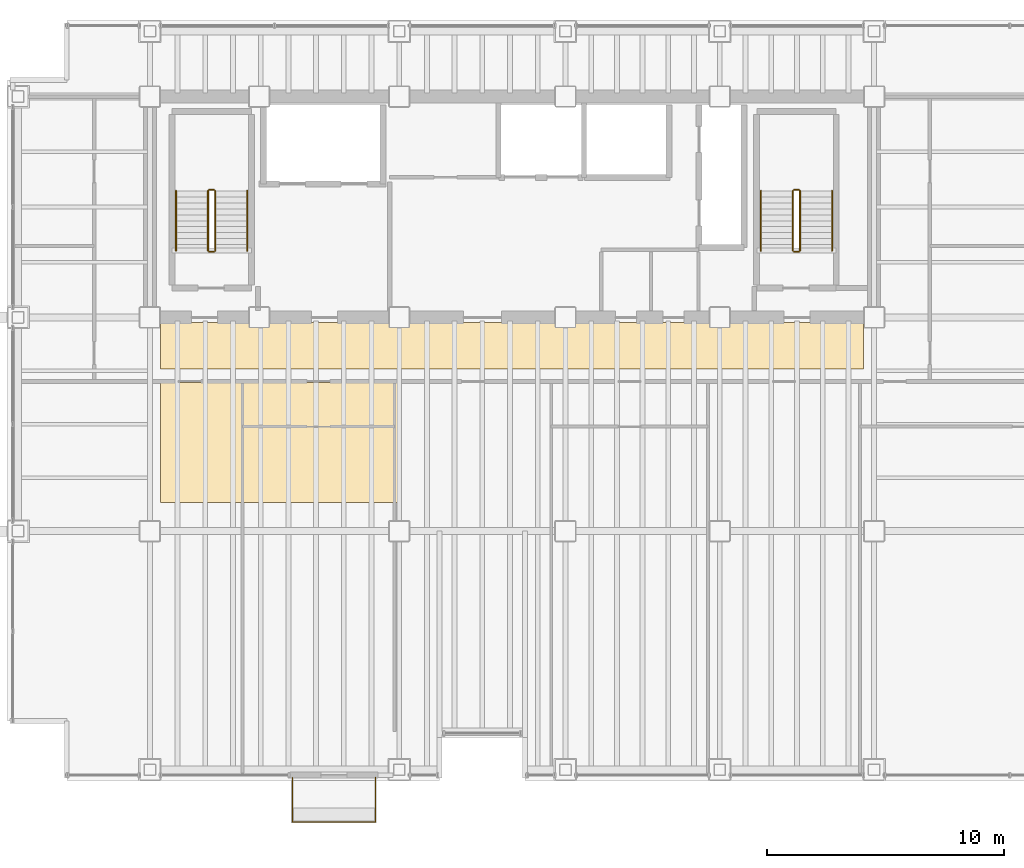
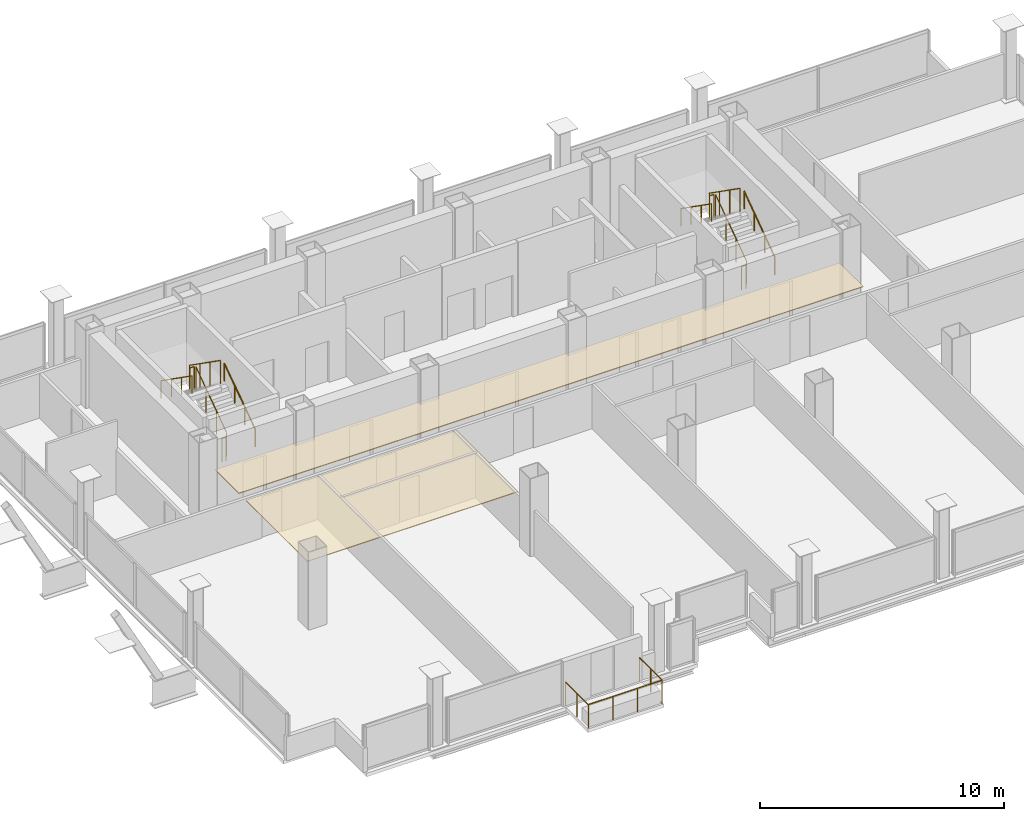
# One storey, part 21 of 21: 13 railings, 2 coverings.
"""IFC4 building model written with IfcOpenShell, lengths in metres."""

from ifc_helpers import new_model, si_unit, direction, frame, origin, origin_2d, place, context, subcontext, project, spatial, polyline, circle, outline, extrude, material, layer, layer_set, type_object, element, save


model = new_model("IFC4")

# Units and contexts
model_context = context("Model", 3, precision=1e-05, world=origin(), true_north=direction((0.0, 1.0)))
body_context = subcontext(model_context, "Body", "Model", "MODEL_VIEW")
ifc_project = project(units=[si_unit("LENGTHUNIT", "METRE"), si_unit("AREAUNIT", "SQUARE_METRE"), si_unit("VOLUMEUNIT", "CUBIC_METRE"), si_unit("PLANEANGLEUNIT", "RADIAN"), si_unit("MASSUNIT", "GRAM", prefix="KILO")], contexts=[model_context])

# Site, building, storey
site_placement = place(None, origin())
site = spatial("IfcSite", under=ifc_project, at=site_placement, CompositionType="ELEMENT")
building_placement = place(site_placement, origin())
building = spatial("IfcBuilding", under=site, at=building_placement, Name="Noeulbin Bourse Tower", CompositionType="ELEMENT")
storey_placement = place(building_placement, frame((0.0, 0.0, 111.0)))
storey = spatial("IfcBuildingStorey", under=building, at=storey_placement, Name="L27", CompositionType="ELEMENT", Elevation=111.0)

# Coverings
ifc_material_1 = material(Name="Perforated Mineral-Fibre Acoustic Tile")
ifc_layer_1 = layer(ifc_material_1, 0.0400390625)
ifc_layer_set_1 = layer_set([ifc_layer_1], Name="Perforated Mineral-Fibre Acoustic Tile")
covering_type = type_object("IfcCoveringType", Name="COV-CEIL-ACT", PredefinedType="CEILING", material=ifc_layer_set_1)
covering_1_placement = place(storey_placement, frame((0.0, 0.0, 2.110107421875)))
element("IfcCovering", 1, at=covering_1_placement, inside=storey, type_object=covering_type, Name="Corridor Suspended Ceiling L27", PredefinedType="CEILING", context=body_context, shape_type="SweptSolid", body=[
    extrude(outline(polyline([(13.949951171875, 26.820068359375), (43.550048828125, 26.820068359375), (43.550048828125, 28.780029296875), (13.949951171875, 28.780029296875), (13.949951171875, 26.820068359375)])), origin(), (0.0, 0.0, 1.0), 0.039794921875),
])
covering_2_placement = place(storey_placement, frame((0.0, 0.0, 2.110107421875)))
element("IfcCovering", 2, at=covering_2_placement, inside=storey, type_object=covering_type, Name="Trading Suite Acoustic Ceiling L27", PredefinedType="CEILING", context=body_context, shape_type="SweptSolid", body=[
    extrude(outline(polyline([(13.949951171875, 21.199951171875), (23.949951171875, 21.199951171875), (23.949951171875, 26.25), (13.949951171875, 26.25), (13.949951171875, 21.199951171875)])), origin(), (0.0, 0.0, 1.0), 0.039794921875),
])

# Railings
ifc_material_2 = material(Name="Laminated SentryGlas and Stainless Steel 316", Category="steel")
ifc_layer_2 = layer(ifc_material_2, 0.06005859375)
ifc_layer_set_2 = layer_set([ifc_layer_2], Name="Laminated SentryGlas and Stainless Steel 316")
railing_type_1 = type_object("IfcRailingType", Name="RLG-BAL-1200", PredefinedType="BALUSTRADE", material=ifc_layer_set_2)
railing_1_placement = place(storey_placement, frame((19.5, 9.6201171875, 0.0)))
element("IfcRailing", 3, at=railing_1_placement, inside=storey, type_object=railing_type_1, Name="Tree-Balcony Glazed Balustrade L27", PredefinedType="BALUSTRADE", context=body_context, shape_type="SweptSolid", body=[
    extrude(circle(Radius=0.02392578125, at=origin_2d()), frame((0.0, 0.0, 1.17578125), z_axis=(0.0, -1.0, 0.0), x_axis=(1.0, 0.0, 0.0)), (0.0, 0.0, 1.0), 1.8701171875),
    extrude(circle(Radius=0.02392578125, at=origin_2d()), frame((0.0, -1.8701171875, 1.17578125), z_axis=(1.0, 0.0, 0.0), x_axis=(0.0, 1.0, 0.0)), (0.0, 0.0, 1.0), 3.5),
    extrude(circle(Radius=0.02392578125, at=origin_2d()), frame((3.5, -1.8701171875, 1.17578125), z_axis=(0.0, 1.0, 0.0), x_axis=(-1.0, 0.0, 0.0)), (0.0, 0.0, 1.0), 1.8701171875),
    extrude(circle(Radius=0.02099609375, at=origin_2d()), origin(), (0.0, 0.0, 1.0), 1.15185546875),
    extrude(circle(Radius=0.02099609375, at=origin_2d()), frame((0.0, -0.93505859375, 0.0)), (0.0, 0.0, 1.0), 1.15185546875),
    extrude(circle(Radius=0.02099609375, at=origin_2d()), frame((0.0, -1.8701171875, 0.0)), (0.0, 0.0, 1.0), 1.15185546875),
    extrude(circle(Radius=0.02099609375, at=origin_2d()), frame((1.166748046875, -1.8701171875, 0.0)), (0.0, 0.0, 1.0), 1.15185546875),
    extrude(circle(Radius=0.02099609375, at=origin_2d()), frame((2.333251953125, -1.8701171875, 0.0)), (0.0, 0.0, 1.0), 1.15185546875),
    extrude(circle(Radius=0.02099609375, at=origin_2d()), frame((3.5, -1.8701171875, 0.0)), (0.0, 0.0, 1.0), 1.15185546875),
    extrude(circle(Radius=0.02099609375, at=origin_2d()), frame((3.5, -0.93505859375, 0.0)), (0.0, 0.0, 1.0), 1.15185546875),
    extrude(circle(Radius=0.02099609375, at=origin_2d()), frame((3.5, 0.0, 0.0)), (0.0, 0.0, 1.0), 1.15185546875),
])
ifc_material_3 = material(Name="Painted Tubular Steel S355", Category="steel")
ifc_layer_3 = layer(ifc_material_3, 0.048095703125)
ifc_layer_set_3 = layer_set([ifc_layer_3], Name="Painted Tubular Steel S355")
railing_type_2 = type_object("IfcRailingType", Name="RLG-STR-GRD", PredefinedType="GUARDRAIL", material=ifc_layer_set_3)
railing_2_placement = place(storey_placement, frame((16.25, 31.81005859375, 0.17724609375)))
element("IfcRailing", 4, at=railing_2_placement, inside=storey, type_object=railing_type_2, Name="L27 ST-1 stair guard 1", PredefinedType="GUARDRAIL", context=body_context, shape_type="SweptSolid", body=[
    extrude(circle(Radius=0.02392578125, at=origin_2d()), frame((0.0, 0.0, 1.17578125), z_axis=(0.0, 0.817904474719, 0.575354039036), x_axis=(-1.0, 0.0, 0.0)), (0.0, 0.0, 1.0), 3.0810546875),
    extrude(circle(Radius=0.02099609375, at=origin_2d()), origin(), (0.0, 0.0, 1.0), 1.15185546875),
    extrude(circle(Radius=0.02099609375, at=origin_2d()), frame((0.0, 0.840087890625, 0.5908203125)), (0.0, 0.0, 1.0), 1.15185546875),
    extrude(circle(Radius=0.02099609375, at=origin_2d()), frame((0.0, 1.679931640625, 1.181884765625)), (0.0, 0.0, 1.0), 1.15185546875),
    extrude(circle(Radius=0.02099609375, at=origin_2d()), frame((0.0, 2.52001953125, 1.772705078125)), (0.0, 0.0, 1.0), 1.15185546875),
])
railing_3_placement = place(storey_placement, frame((16.199951171875, 34.3798828125, 1.949951171875)))
element("IfcRailing", 5, at=railing_3_placement, inside=storey, type_object=railing_type_2, Name="L27 ST-1 stair guard 2", PredefinedType="GUARDRAIL", context=body_context, shape_type="SweptSolid", body=[
    extrude(circle(Radius=0.02392578125, at=origin_2d()), frame((0.0, 0.0, 1.17578125), z_axis=(-1.0, 0.0, 0.0), x_axis=(0.0, -1.0, 0.0)), (0.0, 0.0, 1.0), 0.199951171875),
    extrude(circle(Radius=0.02099609375, at=origin_2d()), origin(), (0.0, 0.0, 1.0), 1.15185546875),
    extrude(circle(Radius=0.02099609375, at=origin_2d()), frame((-0.199951171875, 0.0, 0.0)), (0.0, 0.0, 1.0), 1.15185546875),
])
railing_4_placement = place(storey_placement, frame((15.949951171875, 34.330078125, 2.127197265625)))
element("IfcRailing", 6, at=railing_4_placement, inside=storey, type_object=railing_type_2, Name="L27 ST-1 stair guard 3", PredefinedType="GUARDRAIL", context=body_context, shape_type="SweptSolid", body=[
    extrude(circle(Radius=0.02392578125, at=origin_2d()), frame((0.0, 0.0, 1.17578125), z_axis=(0.0, -0.817904474719, 0.575354039036), x_axis=(1.0, 0.0, 0.0)), (0.0, 0.0, 1.0), 3.0810546875),
    extrude(circle(Radius=0.02099609375, at=origin_2d()), origin(), (0.0, 0.0, 1.0), 1.15185546875),
    extrude(circle(Radius=0.02099609375, at=origin_2d()), frame((0.0, -0.840087890625, 0.5908203125)), (0.0, 0.0, 1.0), 1.15185546875),
    extrude(circle(Radius=0.02099609375, at=origin_2d()), frame((0.0, -1.679931640625, 1.181884765625)), (0.0, 0.0, 1.0), 1.15185546875),
    extrude(circle(Radius=0.02099609375, at=origin_2d()), frame((0.0, -2.52001953125, 1.772705078125)), (0.0, 0.0, 1.0), 1.15185546875),
])
railing_5_placement = place(storey_placement, frame((16.199951171875, 31.760009765625, 0.0)))
element("IfcRailing", 7, at=railing_5_placement, inside=storey, type_object=railing_type_2, Name="L27 ST-1 stair guard 4", PredefinedType="GUARDRAIL", context=body_context, shape_type="SweptSolid", body=[
    extrude(circle(Radius=0.02392578125, at=origin_2d()), frame((0.0, 0.0, 1.17578125), z_axis=(-1.0, 0.0, 0.0), x_axis=(0.0, -1.0, 0.0)), (0.0, 0.0, 1.0), 0.199951171875),
    extrude(circle(Radius=0.02099609375, at=origin_2d()), origin(), (0.0, 0.0, 1.0), 1.15185546875),
    extrude(circle(Radius=0.02099609375, at=origin_2d()), frame((-0.199951171875, 0.0, 0.0)), (0.0, 0.0, 1.0), 1.15185546875),
])
railing_6_placement = place(storey_placement, frame((40.8798828125, 31.81005859375, 0.17724609375)))
element("IfcRailing", 8, at=railing_6_placement, inside=storey, type_object=railing_type_2, Name="L27 ST-2 stair guard 1", PredefinedType="GUARDRAIL", context=body_context, shape_type="SweptSolid", body=[
    extrude(circle(Radius=0.02392578125, at=origin_2d()), frame((0.0, 0.0, 1.17578125), z_axis=(0.0, 0.817904474719, 0.575354039036), x_axis=(-1.0, 0.0, 0.0)), (0.0, 0.0, 1.0), 3.0810546875),
    extrude(circle(Radius=0.02099609375, at=origin_2d()), origin(), (0.0, 0.0, 1.0), 1.15185546875),
    extrude(circle(Radius=0.02099609375, at=origin_2d()), frame((0.0, 0.840087890625, 0.5908203125)), (0.0, 0.0, 1.0), 1.15185546875),
    extrude(circle(Radius=0.02099609375, at=origin_2d()), frame((0.0, 1.679931640625, 1.181884765625)), (0.0, 0.0, 1.0), 1.15185546875),
    extrude(circle(Radius=0.02099609375, at=origin_2d()), frame((0.0, 2.52001953125, 1.772705078125)), (0.0, 0.0, 1.0), 1.15185546875),
])
railing_7_placement = place(storey_placement, frame((40.830078125, 34.3798828125, 1.949951171875)))
element("IfcRailing", 9, at=railing_7_placement, inside=storey, type_object=railing_type_2, Name="L27 ST-2 stair guard 2", PredefinedType="GUARDRAIL", context=body_context, shape_type="SweptSolid", body=[
    extrude(circle(Radius=0.02392578125, at=origin_2d()), frame((0.0, 0.0, 1.17578125), z_axis=(-1.0, 0.0, 0.0), x_axis=(0.0, -1.0, 0.0)), (0.0, 0.0, 1.0), 0.2001953125),
    extrude(circle(Radius=0.02099609375, at=origin_2d()), origin(), (0.0, 0.0, 1.0), 1.15185546875),
    extrude(circle(Radius=0.02099609375, at=origin_2d()), frame((-0.2001953125, 0.0, 0.0)), (0.0, 0.0, 1.0), 1.15185546875),
])
railing_8_placement = place(storey_placement, frame((40.580078125, 34.330078125, 2.127197265625)))
element("IfcRailing", 10, at=railing_8_placement, inside=storey, type_object=railing_type_2, Name="L27 ST-2 stair guard 3", PredefinedType="GUARDRAIL", context=body_context, shape_type="SweptSolid", body=[
    extrude(circle(Radius=0.02392578125, at=origin_2d()), frame((0.0, 0.0, 1.17578125), z_axis=(0.0, -0.817904474719, 0.575354039036), x_axis=(1.0, 0.0, 0.0)), (0.0, 0.0, 1.0), 3.0810546875),
    extrude(circle(Radius=0.02099609375, at=origin_2d()), origin(), (0.0, 0.0, 1.0), 1.15185546875),
    extrude(circle(Radius=0.02099609375, at=origin_2d()), frame((0.0, -0.840087890625, 0.5908203125)), (0.0, 0.0, 1.0), 1.15185546875),
    extrude(circle(Radius=0.02099609375, at=origin_2d()), frame((0.0, -1.679931640625, 1.181884765625)), (0.0, 0.0, 1.0), 1.15185546875),
    extrude(circle(Radius=0.02099609375, at=origin_2d()), frame((0.0, -2.52001953125, 1.772705078125)), (0.0, 0.0, 1.0), 1.15185546875),
])
railing_9_placement = place(storey_placement, frame((40.830078125, 31.760009765625, 0.0)))
element("IfcRailing", 11, at=railing_9_placement, inside=storey, type_object=railing_type_2, Name="L27 ST-2 stair guard 4", PredefinedType="GUARDRAIL", context=body_context, shape_type="SweptSolid", body=[
    extrude(circle(Radius=0.02392578125, at=origin_2d()), frame((0.0, 0.0, 1.17578125), z_axis=(-1.0, 0.0, 0.0), x_axis=(0.0, -1.0, 0.0)), (0.0, 0.0, 1.0), 0.2001953125),
    extrude(circle(Radius=0.02099609375, at=origin_2d()), origin(), (0.0, 0.0, 1.0), 1.15185546875),
    extrude(circle(Radius=0.02099609375, at=origin_2d()), frame((-0.2001953125, 0.0, 0.0)), (0.0, 0.0, 1.0), 1.15185546875),
])
ifc_material_4 = material(Name="Brushed Stainless Steel 316", Category="steel")
ifc_layer_4 = layer(ifc_material_4, 0.048095703125)
ifc_layer_set_4 = layer_set([ifc_layer_4], Name="Brushed Stainless Steel 316")
railing_type_3 = type_object("IfcRailingType", Name="RLG-STR-HND", PredefinedType="HANDRAIL", material=ifc_layer_set_4)
railing_10_placement = place(storey_placement, frame((17.60009765625, 31.81005859375, 0.17724609375)))
element("IfcRailing", 12, at=railing_10_placement, inside=storey, type_object=railing_type_3, Name="L27 ST-1 stair handrail 1", PredefinedType="HANDRAIL", context=body_context, shape_type="SweptSolid", body=[
    extrude(circle(Radius=0.02392578125, at=origin_2d()), frame((0.0, 0.0, 0.8759765625), z_axis=(0.0, 0.817904474719, 0.575354039036), x_axis=(-1.0, 0.0, 0.0)), (0.0, 0.0, 1.0), 3.0810546875),
    extrude(circle(Radius=0.02099609375, at=origin_2d()), origin(), (0.0, 0.0, 1.0), 0.851806640625),
    extrude(circle(Radius=0.02099609375, at=origin_2d()), frame((0.0, 0.840087890625, 0.5908203125)), (0.0, 0.0, 1.0), 0.851806640625),
    extrude(circle(Radius=0.02099609375, at=origin_2d()), frame((0.0, 1.679931640625, 1.181884765625)), (0.0, 0.0, 1.0), 0.851806640625),
    extrude(circle(Radius=0.02099609375, at=origin_2d()), frame((0.0, 2.52001953125, 1.772705078125)), (0.0, 0.0, 1.0), 0.851806640625),
])
railing_11_placement = place(storey_placement, frame((14.60009765625, 34.330078125, 2.127197265625)))
element("IfcRailing", 13, at=railing_11_placement, inside=storey, type_object=railing_type_3, Name="L27 ST-1 stair handrail 2", PredefinedType="HANDRAIL", context=body_context, shape_type="SweptSolid", body=[
    extrude(circle(Radius=0.02392578125, at=origin_2d()), frame((0.0, 0.0, 0.8759765625), z_axis=(0.0, -0.817904474719, 0.575354039036), x_axis=(1.0, 0.0, 0.0)), (0.0, 0.0, 1.0), 3.0810546875),
    extrude(circle(Radius=0.02099609375, at=origin_2d()), origin(), (0.0, 0.0, 1.0), 0.851806640625),
    extrude(circle(Radius=0.02099609375, at=origin_2d()), frame((0.0, -0.840087890625, 0.5908203125)), (0.0, 0.0, 1.0), 0.851806640625),
    extrude(circle(Radius=0.02099609375, at=origin_2d()), frame((0.0, -1.679931640625, 1.181884765625)), (0.0, 0.0, 1.0), 0.851806640625),
    extrude(circle(Radius=0.02099609375, at=origin_2d()), frame((0.0, -2.52001953125, 1.772705078125)), (0.0, 0.0, 1.0), 0.851806640625),
])
railing_12_placement = place(storey_placement, frame((42.22998046875, 31.81005859375, 0.17724609375)))
element("IfcRailing", 14, at=railing_12_placement, inside=storey, type_object=railing_type_3, Name="L27 ST-2 stair handrail 1", PredefinedType="HANDRAIL", context=body_context, shape_type="SweptSolid", body=[
    extrude(circle(Radius=0.02392578125, at=origin_2d()), frame((0.0, 0.0, 0.8759765625), z_axis=(0.0, 0.817904474719, 0.575354039036), x_axis=(-1.0, 0.0, 0.0)), (0.0, 0.0, 1.0), 3.0810546875),
    extrude(circle(Radius=0.02099609375, at=origin_2d()), origin(), (0.0, 0.0, 1.0), 0.851806640625),
    extrude(circle(Radius=0.02099609375, at=origin_2d()), frame((0.0, 0.840087890625, 0.5908203125)), (0.0, 0.0, 1.0), 0.851806640625),
    extrude(circle(Radius=0.02099609375, at=origin_2d()), frame((0.0, 1.679931640625, 1.181884765625)), (0.0, 0.0, 1.0), 0.851806640625),
    extrude(circle(Radius=0.02099609375, at=origin_2d()), frame((0.0, 2.52001953125, 1.772705078125)), (0.0, 0.0, 1.0), 0.851806640625),
])
railing_13_placement = place(storey_placement, frame((39.22998046875, 34.330078125, 2.127197265625)))
element("IfcRailing", 15, at=railing_13_placement, inside=storey, type_object=railing_type_3, Name="L27 ST-2 stair handrail 2", PredefinedType="HANDRAIL", context=body_context, shape_type="SweptSolid", body=[
    extrude(circle(Radius=0.02392578125, at=origin_2d()), frame((0.0, 0.0, 0.8759765625), z_axis=(0.0, -0.817904474719, 0.575354039036), x_axis=(1.0, 0.0, 0.0)), (0.0, 0.0, 1.0), 3.0810546875),
    extrude(circle(Radius=0.02099609375, at=origin_2d()), origin(), (0.0, 0.0, 1.0), 0.851806640625),
    extrude(circle(Radius=0.02099609375, at=origin_2d()), frame((0.0, -0.840087890625, 0.5908203125)), (0.0, 0.0, 1.0), 0.851806640625),
    extrude(circle(Radius=0.02099609375, at=origin_2d()), frame((0.0, -1.679931640625, 1.181884765625)), (0.0, 0.0, 1.0), 0.851806640625),
    extrude(circle(Radius=0.02099609375, at=origin_2d()), frame((0.0, -2.52001953125, 1.772705078125)), (0.0, 0.0, 1.0), 0.851806640625),
])

save(model, "model.ifc")
